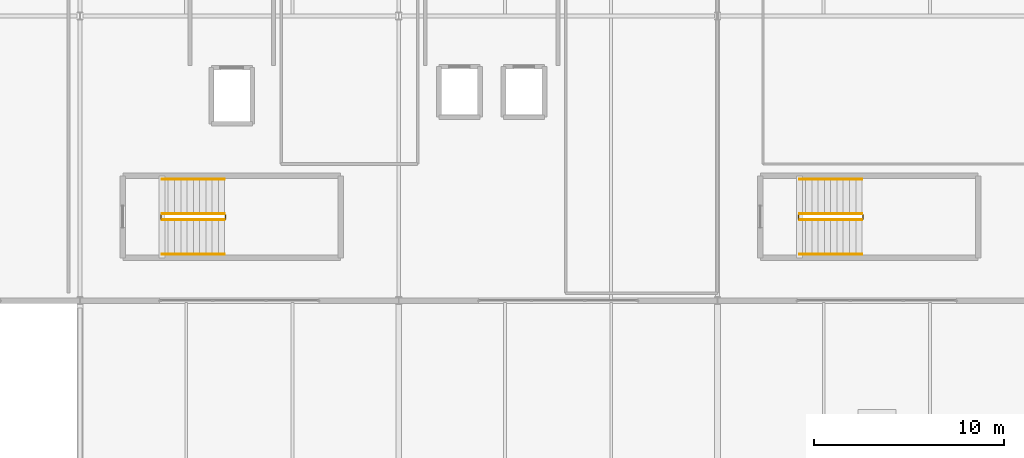
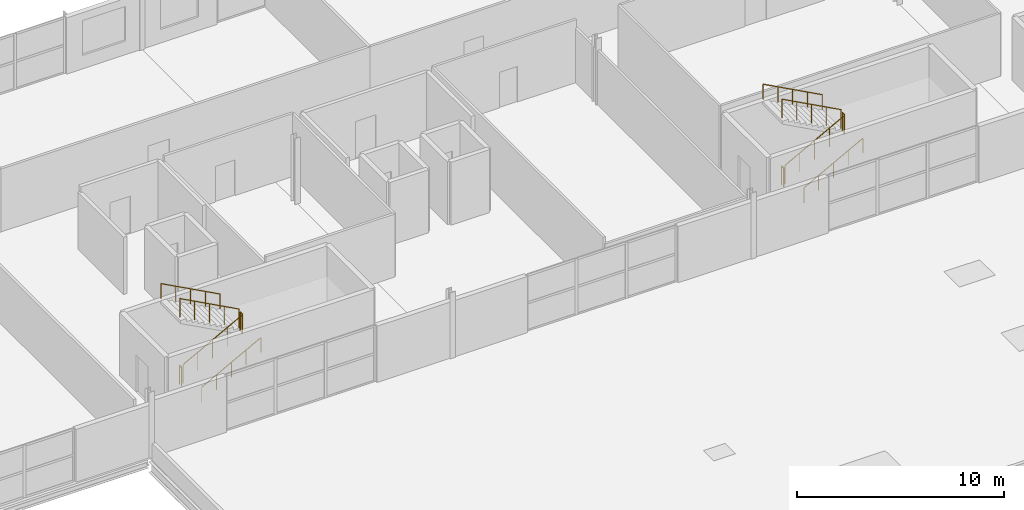
# One storey, part 33 of 36: 12 railings.
"""IFC4 building model written with IfcOpenShell, lengths in metres."""

from ifc_helpers import new_model, si_unit, direction, frame, origin, origin_2d, place, context, subcontext, project, spatial, circle, extrude, material, type_object, element, save


model = new_model("IFC4")

# Units and contexts
model_context = context("Model", 3, precision=1e-05, world=origin(), true_north=direction((0.0, 1.0)))
body_context = subcontext(model_context, "Body", "Model", "MODEL_VIEW")
ifc_project = project(units=[si_unit("LENGTHUNIT", "METRE"), si_unit("AREAUNIT", "SQUARE_METRE"), si_unit("VOLUMEUNIT", "CUBIC_METRE"), si_unit("PLANEANGLEUNIT", "RADIAN"), si_unit("MASSUNIT", "GRAM", prefix="KILO")], contexts=[model_context])

# Site, building, storey
site_placement = place(None, origin())
site = spatial("IfcSite", under=ifc_project, at=site_placement, CompositionType="ELEMENT")
building_placement = place(site_placement, origin())
building = spatial("IfcBuilding", under=site, at=building_placement, Name="Kimbaza Rail Terminus", CompositionType="ELEMENT")
storey_placement = place(building_placement, frame((0.0, 0.0, 21.0)))
storey = spatial("IfcBuildingStorey", under=building, at=storey_placement, Name="L04", CompositionType="ELEMENT", Elevation=21.0)

# Railings
ifc_material_1 = material(Name="Brushed stainless steel handrail", Category="steel")
railing_type_1 = type_object("IfcRailingType", Name="ARC-RL-HND92", PredefinedType="HANDRAIL", material=ifc_material_1)
railing_1_placement = place(storey_placement, frame((76.320068359375, 105.449951171875, 0.17724609375)))
element("IfcRailing", 1, at=railing_1_placement, inside=storey, type_object=railing_type_1, Name="L04 ST-W1 stair handrail 1", PredefinedType="HANDRAIL", context=body_context, shape_type="SweptSolid", body=[
    extrude(circle(Radius=0.02392578125, at=origin_2d()), frame((0.0, 0.0, 0.8759765625), z_axis=(0.880943614595, 0.0, 0.473221246251), x_axis=(0.0, 1.0, 0.0)), (0.0, 0.0, 1.0), 3.74609375),
    extrude(circle(Radius=0.02099609375, at=origin_2d()), origin(), (0.0, 0.0, 1.0), 0.851806640625),
    extrude(circle(Radius=0.02099609375, at=origin_2d()), frame((0.824951171875, 0.0, 0.443115234375)), (0.0, 0.0, 1.0), 0.851806640625),
    extrude(circle(Radius=0.02099609375, at=origin_2d()), frame((1.64990234375, 0.0, 0.88623046875)), (0.0, 0.0, 1.0), 0.851806640625),
    extrude(circle(Radius=0.02099609375, at=origin_2d()), frame((2.47509765625, 0.0, 1.32958984375)), (0.0, 0.0, 1.0), 0.851806640625),
    extrude(circle(Radius=0.02099609375, at=origin_2d()), frame((3.300048828125, 0.0, 1.772705078125)), (0.0, 0.0, 1.0), 0.851806640625),
])
railing_2_placement = place(storey_placement, frame((79.6201171875, 109.389892578125, 2.127197265625)))
element("IfcRailing", 2, at=railing_2_placement, inside=storey, type_object=railing_type_1, Name="L04 ST-W1 stair handrail 2", PredefinedType="HANDRAIL", context=body_context, shape_type="SweptSolid", body=[
    extrude(circle(Radius=0.02392578125, at=origin_2d()), frame((0.0, 0.0, 0.8759765625), z_axis=(-0.880943614595, 0.0, 0.473221246251), x_axis=(0.0, -1.0, 0.0)), (0.0, 0.0, 1.0), 3.74609375),
    extrude(circle(Radius=0.02099609375, at=origin_2d()), origin(), (0.0, 0.0, 1.0), 0.851806640625),
    extrude(circle(Radius=0.02099609375, at=origin_2d()), frame((-0.824951171875, 0.0, 0.443115234375)), (0.0, 0.0, 1.0), 0.851806640625),
    extrude(circle(Radius=0.02099609375, at=origin_2d()), frame((-1.64990234375, 0.0, 0.88623046875)), (0.0, 0.0, 1.0), 0.851806640625),
    extrude(circle(Radius=0.02099609375, at=origin_2d()), frame((-2.47509765625, 0.0, 1.32958984375)), (0.0, 0.0, 1.0), 0.851806640625),
    extrude(circle(Radius=0.02099609375, at=origin_2d()), frame((-3.300048828125, 0.0, 1.772705078125)), (0.0, 0.0, 1.0), 0.851806640625),
])
railing_3_placement = place(storey_placement, frame((109.919921875, 105.449951171875, 0.17724609375)))
element("IfcRailing", 3, at=railing_3_placement, inside=storey, type_object=railing_type_1, Name="L04 ST-M1 stair handrail 1", PredefinedType="HANDRAIL", context=body_context, shape_type="SweptSolid", body=[
    extrude(circle(Radius=0.02392578125, at=origin_2d()), frame((0.0, 0.0, 0.8759765625), z_axis=(0.880943614595, 0.0, 0.473221246251), x_axis=(0.0, 1.0, 0.0)), (0.0, 0.0, 1.0), 3.74609375),
    extrude(circle(Radius=0.02099609375, at=origin_2d()), origin(), (0.0, 0.0, 1.0), 0.851806640625),
    extrude(circle(Radius=0.02099609375, at=origin_2d()), frame((0.824951171875, 0.0, 0.443115234375)), (0.0, 0.0, 1.0), 0.851806640625),
    extrude(circle(Radius=0.02099609375, at=origin_2d()), frame((1.64990234375, 0.0, 0.88623046875)), (0.0, 0.0, 1.0), 0.851806640625),
    extrude(circle(Radius=0.02099609375, at=origin_2d()), frame((2.47509765625, 0.0, 1.32958984375)), (0.0, 0.0, 1.0), 0.851806640625),
    extrude(circle(Radius=0.02099609375, at=origin_2d()), frame((3.300048828125, 0.0, 1.772705078125)), (0.0, 0.0, 1.0), 0.851806640625),
])
railing_4_placement = place(storey_placement, frame((113.219970703125, 109.389892578125, 2.127197265625)))
element("IfcRailing", 4, at=railing_4_placement, inside=storey, type_object=railing_type_1, Name="L04 ST-M1 stair handrail 2", PredefinedType="HANDRAIL", context=body_context, shape_type="SweptSolid", body=[
    extrude(circle(Radius=0.02392578125, at=origin_2d()), frame((0.0, 0.0, 0.8759765625), z_axis=(-0.880943614595, 0.0, 0.473221246251), x_axis=(0.0, -1.0, 0.0)), (0.0, 0.0, 1.0), 3.74609375),
    extrude(circle(Radius=0.02099609375, at=origin_2d()), origin(), (0.0, 0.0, 1.0), 0.851806640625),
    extrude(circle(Radius=0.02099609375, at=origin_2d()), frame((-0.824951171875, 0.0, 0.443115234375)), (0.0, 0.0, 1.0), 0.851806640625),
    extrude(circle(Radius=0.02099609375, at=origin_2d()), frame((-1.64990234375, 0.0, 0.88623046875)), (0.0, 0.0, 1.0), 0.851806640625),
    extrude(circle(Radius=0.02099609375, at=origin_2d()), frame((-2.47509765625, 0.0, 1.32958984375)), (0.0, 0.0, 1.0), 0.851806640625),
    extrude(circle(Radius=0.02099609375, at=origin_2d()), frame((-3.300048828125, 0.0, 1.772705078125)), (0.0, 0.0, 1.0), 0.851806640625),
])
ifc_material_2 = material(Name="Painted tubular steel stair well guard", Category="steel")
railing_type_2 = type_object("IfcRailingType", Name="ARC-RL-STGRD", PredefinedType="GUARDRAIL", material=ifc_material_2)
railing_5_placement = place(storey_placement, frame((76.320068359375, 107.27001953125, 0.17724609375)))
element("IfcRailing", 5, at=railing_5_placement, inside=storey, type_object=railing_type_2, Name="L04 ST-W1 stair guard 1", PredefinedType="GUARDRAIL", context=body_context, shape_type="SweptSolid", body=[
    extrude(circle(Radius=0.02392578125, at=origin_2d()), frame((0.0, 0.0, 1.09619140625), z_axis=(0.880943614595, 0.0, 0.473221246251), x_axis=(0.0, 1.0, 0.0)), (0.0, 0.0, 1.0), 3.74609375),
    extrude(circle(Radius=0.02099609375, at=origin_2d()), origin(), (0.0, 0.0, 1.0), 1.072021484375),
    extrude(circle(Radius=0.02099609375, at=origin_2d()), frame((0.824951171875, 0.0, 0.443115234375)), (0.0, 0.0, 1.0), 1.072021484375),
    extrude(circle(Radius=0.02099609375, at=origin_2d()), frame((1.64990234375, 0.0, 0.88623046875)), (0.0, 0.0, 1.0), 1.072021484375),
    extrude(circle(Radius=0.02099609375, at=origin_2d()), frame((2.47509765625, 0.0, 1.32958984375)), (0.0, 0.0, 1.0), 1.072021484375),
    extrude(circle(Radius=0.02099609375, at=origin_2d()), frame((3.300048828125, 0.0, 1.772705078125)), (0.0, 0.0, 1.0), 1.072021484375),
])
railing_6_placement = place(storey_placement, frame((79.669921875, 107.320068359375, 1.949951171875)))
element("IfcRailing", 6, at=railing_6_placement, inside=storey, type_object=railing_type_2, Name="L04 ST-W1 stair guard 2", PredefinedType="GUARDRAIL", context=body_context, shape_type="SweptSolid", body=[
    extrude(circle(Radius=0.02392578125, at=origin_2d()), frame((0.0, 0.0, 1.09619140625), z_axis=(0.0, 1.0, 0.0), x_axis=(-1.0, 0.0, 0.0)), (0.0, 0.0, 1.0), 0.199951171875),
    extrude(circle(Radius=0.02099609375, at=origin_2d()), origin(), (0.0, 0.0, 1.0), 1.072021484375),
    extrude(circle(Radius=0.02099609375, at=origin_2d()), frame((0.0, 0.199951171875, 0.0)), (0.0, 0.0, 1.0), 1.072021484375),
])
railing_7_placement = place(storey_placement, frame((79.6201171875, 107.570068359375, 2.127197265625)))
element("IfcRailing", 7, at=railing_7_placement, inside=storey, type_object=railing_type_2, Name="L04 ST-W1 stair guard 3", PredefinedType="GUARDRAIL", context=body_context, shape_type="SweptSolid", body=[
    extrude(circle(Radius=0.02392578125, at=origin_2d()), frame((0.0, 0.0, 1.09619140625), z_axis=(-0.880943614595, 0.0, 0.473221246251), x_axis=(0.0, -1.0, 0.0)), (0.0, 0.0, 1.0), 3.74609375),
    extrude(circle(Radius=0.02099609375, at=origin_2d()), origin(), (0.0, 0.0, 1.0), 1.072021484375),
    extrude(circle(Radius=0.02099609375, at=origin_2d()), frame((-0.824951171875, 0.0, 0.443115234375)), (0.0, 0.0, 1.0), 1.072021484375),
    extrude(circle(Radius=0.02099609375, at=origin_2d()), frame((-1.64990234375, 0.0, 0.88623046875)), (0.0, 0.0, 1.0), 1.072021484375),
    extrude(circle(Radius=0.02099609375, at=origin_2d()), frame((-2.47509765625, 0.0, 1.32958984375)), (0.0, 0.0, 1.0), 1.072021484375),
    extrude(circle(Radius=0.02099609375, at=origin_2d()), frame((-3.300048828125, 0.0, 1.772705078125)), (0.0, 0.0, 1.0), 1.072021484375),
])
railing_8_placement = place(storey_placement, frame((76.27001953125, 107.320068359375, 0.0)))
element("IfcRailing", 8, at=railing_8_placement, inside=storey, type_object=railing_type_2, Name="L04 ST-W1 stair guard 4", PredefinedType="GUARDRAIL", context=body_context, shape_type="SweptSolid", body=[
    extrude(circle(Radius=0.02392578125, at=origin_2d()), frame((0.0, 0.0, 1.09619140625), z_axis=(0.0, 1.0, 0.0), x_axis=(-1.0, 0.0, 0.0)), (0.0, 0.0, 1.0), 0.199951171875),
    extrude(circle(Radius=0.02099609375, at=origin_2d()), origin(), (0.0, 0.0, 1.0), 1.072021484375),
    extrude(circle(Radius=0.02099609375, at=origin_2d()), frame((0.0, 0.199951171875, 0.0)), (0.0, 0.0, 1.0), 1.072021484375),
])
railing_9_placement = place(storey_placement, frame((109.919921875, 107.27001953125, 0.17724609375)))
element("IfcRailing", 9, at=railing_9_placement, inside=storey, type_object=railing_type_2, Name="L04 ST-M1 stair guard 1", PredefinedType="GUARDRAIL", context=body_context, shape_type="SweptSolid", body=[
    extrude(circle(Radius=0.02392578125, at=origin_2d()), frame((0.0, 0.0, 1.09619140625), z_axis=(0.880943614595, 0.0, 0.473221246251), x_axis=(0.0, 1.0, 0.0)), (0.0, 0.0, 1.0), 3.74609375),
    extrude(circle(Radius=0.02099609375, at=origin_2d()), origin(), (0.0, 0.0, 1.0), 1.072021484375),
    extrude(circle(Radius=0.02099609375, at=origin_2d()), frame((0.824951171875, 0.0, 0.443115234375)), (0.0, 0.0, 1.0), 1.072021484375),
    extrude(circle(Radius=0.02099609375, at=origin_2d()), frame((1.64990234375, 0.0, 0.88623046875)), (0.0, 0.0, 1.0), 1.072021484375),
    extrude(circle(Radius=0.02099609375, at=origin_2d()), frame((2.47509765625, 0.0, 1.32958984375)), (0.0, 0.0, 1.0), 1.072021484375),
    extrude(circle(Radius=0.02099609375, at=origin_2d()), frame((3.300048828125, 0.0, 1.772705078125)), (0.0, 0.0, 1.0), 1.072021484375),
])
railing_10_placement = place(storey_placement, frame((113.27001953125, 107.320068359375, 1.949951171875)))
element("IfcRailing", 10, at=railing_10_placement, inside=storey, type_object=railing_type_2, Name="L04 ST-M1 stair guard 2", PredefinedType="GUARDRAIL", context=body_context, shape_type="SweptSolid", body=[
    extrude(circle(Radius=0.02392578125, at=origin_2d()), frame((0.0, 0.0, 1.09619140625), z_axis=(0.0, 1.0, 0.0), x_axis=(-1.0, 0.0, 0.0)), (0.0, 0.0, 1.0), 0.199951171875),
    extrude(circle(Radius=0.02099609375, at=origin_2d()), origin(), (0.0, 0.0, 1.0), 1.072021484375),
    extrude(circle(Radius=0.02099609375, at=origin_2d()), frame((0.0, 0.199951171875, 0.0)), (0.0, 0.0, 1.0), 1.072021484375),
])
railing_11_placement = place(storey_placement, frame((113.219970703125, 107.570068359375, 2.127197265625)))
element("IfcRailing", 11, at=railing_11_placement, inside=storey, type_object=railing_type_2, Name="L04 ST-M1 stair guard 3", PredefinedType="GUARDRAIL", context=body_context, shape_type="SweptSolid", body=[
    extrude(circle(Radius=0.02392578125, at=origin_2d()), frame((0.0, 0.0, 1.09619140625), z_axis=(-0.880943614595, 0.0, 0.473221246251), x_axis=(0.0, -1.0, 0.0)), (0.0, 0.0, 1.0), 3.74609375),
    extrude(circle(Radius=0.02099609375, at=origin_2d()), origin(), (0.0, 0.0, 1.0), 1.072021484375),
    extrude(circle(Radius=0.02099609375, at=origin_2d()), frame((-0.824951171875, 0.0, 0.443115234375)), (0.0, 0.0, 1.0), 1.072021484375),
    extrude(circle(Radius=0.02099609375, at=origin_2d()), frame((-1.64990234375, 0.0, 0.88623046875)), (0.0, 0.0, 1.0), 1.072021484375),
    extrude(circle(Radius=0.02099609375, at=origin_2d()), frame((-2.47509765625, 0.0, 1.32958984375)), (0.0, 0.0, 1.0), 1.072021484375),
    extrude(circle(Radius=0.02099609375, at=origin_2d()), frame((-3.300048828125, 0.0, 1.772705078125)), (0.0, 0.0, 1.0), 1.072021484375),
])
railing_12_placement = place(storey_placement, frame((109.8701171875, 107.320068359375, 0.0)))
element("IfcRailing", 12, at=railing_12_placement, inside=storey, type_object=railing_type_2, Name="L04 ST-M1 stair guard 4", PredefinedType="GUARDRAIL", context=body_context, shape_type="SweptSolid", body=[
    extrude(circle(Radius=0.02392578125, at=origin_2d()), frame((0.0, 0.0, 1.09619140625), z_axis=(0.0, 1.0, 0.0), x_axis=(-1.0, 0.0, 0.0)), (0.0, 0.0, 1.0), 0.199951171875),
    extrude(circle(Radius=0.02099609375, at=origin_2d()), origin(), (0.0, 0.0, 1.0), 1.072021484375),
    extrude(circle(Radius=0.02099609375, at=origin_2d()), frame((0.0, 0.199951171875, 0.0)), (0.0, 0.0, 1.0), 1.072021484375),
])

save(model, "model.ifc")
